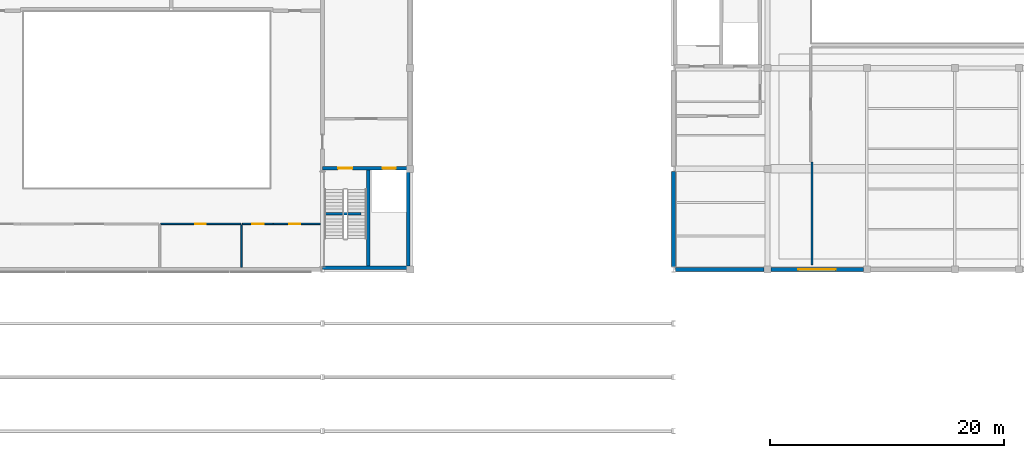
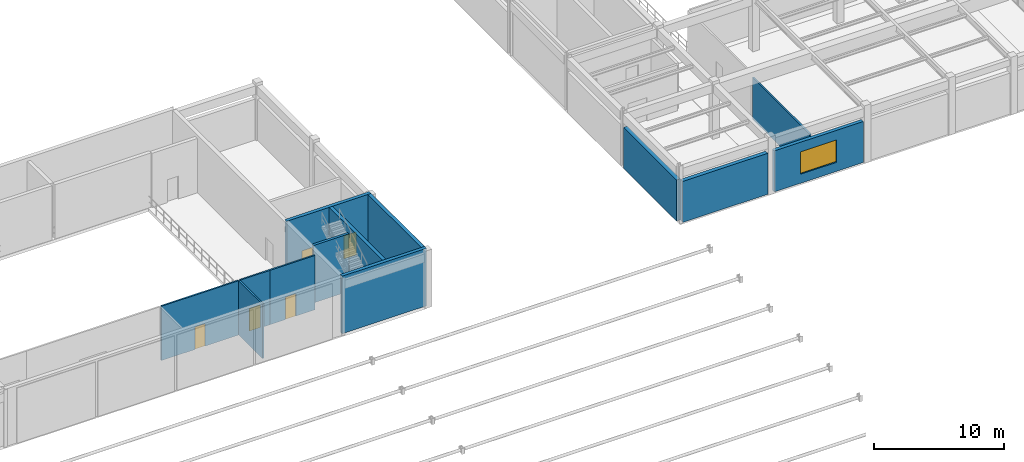
# One storey, part 32 of 38: 13 walls, 5 doors, 1 window, 6 openings.
"""IFC4 building model written with IfcOpenShell, lengths in metres."""

from ifc_helpers import new_model, si_unit, direction, frame, frame_2d, origin, place, context, subcontext, project, spatial, rectangle, extrude, material, layer, layer_set, type_object, element, fill, save


model = new_model("IFC4")

# Units and contexts
model_context = context("Model", 3, precision=1e-05, world=origin(), true_north=direction((0.0, 1.0)))
body_context = subcontext(model_context, "Body", "Model", "MODEL_VIEW")
ifc_project = project(units=[si_unit("LENGTHUNIT", "METRE"), si_unit("AREAUNIT", "SQUARE_METRE"), si_unit("VOLUMEUNIT", "CUBIC_METRE"), si_unit("PLANEANGLEUNIT", "RADIAN"), si_unit("MASSUNIT", "GRAM", prefix="KILO")], contexts=[model_context])

# Site, building, storey
site_placement = place(None, origin())
site = spatial("IfcSite", under=ifc_project, at=site_placement, CompositionType="ELEMENT")
building_placement = place(site_placement, origin())
building = spatial("IfcBuilding", under=site, at=building_placement, Name="Muzn Square Opera House", CompositionType="ELEMENT")
storey_placement = place(building_placement, frame((0.0, 0.0, 18.0)))
storey = spatial("IfcBuildingStorey", under=building, at=storey_placement, Name="L04", CompositionType="ELEMENT", Elevation=18.0)

# Walls
ifc_material_1 = material(Name="Concrete C45/55", Category="concrete")
ifc_layer_1 = layer(ifc_material_1, 0.300048828125, Name="Concrete C45/55", Category="concrete")
ifc_layer_set_1 = layer_set([ifc_layer_1], Name="Concrete C45/55")
wall_type_1 = type_object("IfcWallType", Name="Core Shear Wall 300mm", PredefinedType="SHEAR", material=ifc_layer_set_1)
for number, where, z_axis, x_axis, name in (
    (1, (110.35009765625, 72.89990234375, 0.0), (0.0, 0.0, 1.0), (0.0, 1.0, 0.0), "Core C2 Shear Wall SW-C2-L04-E"),
    (2, (106.919921875, 72.89990234375, 0.0), (0.0, 0.0, 1.0), (0.0, 1.0, 0.0), "Core C2 Shear Wall SW-C2-L04-DIV"),
):
    element("IfcWall", number, at=place(storey_placement, frame(where, z_axis=z_axis, x_axis=x_axis)), inside=storey, type_object=wall_type_1, Name=name, PredefinedType="SHEAR", context=body_context, shape_type="SweptSolid", body=[
        extrude(rectangle(XDim=8.2001953125, YDim=0.300048828125, at=frame_2d((4.10009765625, 0.0))), origin(), (0.0, 0.0, 1.0), 5.39990234375),
    ])

# Wall, openings, doors
wall_1_placement = place(storey_placement, frame((103.0, 81.25, 0.0), z_axis=(0.0, 0.0, 1.0), x_axis=(1.0, 0.0, 0.0)))
wall_1 = element("IfcWall", 3, at=wall_1_placement, inside=storey, type_object=wall_type_1, Name="Core C2 Front Shear Wall L04", PredefinedType="SHEAR", context=body_context, shape_type="SweptSolid", body=[
    extrude(rectangle(XDim=7.5, YDim=0.300048828125, at=frame_2d((3.75, 0.0))), origin(), (0.0, 0.0, 1.0), 5.39990234375),
])
opening_1_placement = place(wall_1_placement, frame((1.35009765625, 0.0, 0.0)))
opening_1 = element("IfcOpeningElement", 4, at=opening_1_placement, cuts=wall_1, Name="Opening DR-ST12", PredefinedType="OPENING", context=body_context, shape_type="SweptSolid", body=[
    extrude(rectangle(XDim=1.199951171875, YDim=2.14990234375, at=frame_2d((0.60009765625, 1.074951171875))), frame((0.0, 0.159912109375, 0.0), z_axis=(0.0, -1.0, 0.0), x_axis=(1.0, 0.0, 0.0)), (0.0, 0.0, 1.0), 0.320068359375),
])
opening_2_placement = place(wall_1_placement, frame((5.14990234375, 0.0, 0.0)))
opening_2 = element("IfcOpeningElement", 5, at=opening_2_placement, cuts=wall_1, Name="Opening LD-01", PredefinedType="OPENING", context=body_context, shape_type="SweptSolid", body=[
    extrude(rectangle(XDim=1.10009765625, YDim=2.14990234375, at=frame_2d((0.550048828125, 1.074951171875))), frame((0.0, 0.159912109375, 0.0), z_axis=(0.0, -1.0, 0.0), x_axis=(1.0, 0.0, 0.0)), (0.0, 0.0, 1.0), 0.320068359375),
])
ifc_material_2 = material(Name="Galvanised painted steel leaf", Category="metal")
door_type_1 = type_object("IfcDoorType", Name="Core Stair Fire Door 1200x2150", OperationType="NOTDEFINED", PredefinedType="DOOR", material=ifc_material_2)
door_1_placement = place(opening_1_placement, origin())
door_1 = element("IfcDoor", 6, at=door_1_placement, inside=storey, type_object=door_type_1, Name="Core C2 Stair Door L04", OperationType="SINGLE_SWING_LEFT", OverallHeight=2.14990234375, OverallWidth=1.199951171875, PredefinedType="DOOR", context=body_context, shape_type="SweptSolid", body=[
    extrude(rectangle(XDim=1.199951171875, YDim=2.14990234375, at=frame_2d((0.60009765625, 1.074951171875))), frame((0.0, 0.02490234375, 0.0), z_axis=(0.0, -1.0, 0.0), x_axis=(1.0, 0.0, 0.0)), (0.0, 0.0, 1.0), 0.050048828125),
])
fill(opening_1, door_1)
ifc_material_3 = material(Name="Brushed stainless steel", Category="metal")
door_type_2 = type_object("IfcDoorType", Name="Lift Landing Sliding Door 1100x2150", OperationType="SLIDING_TO_LEFT", PredefinedType="DOOR", material=ifc_material_3)
door_2_placement = place(opening_2_placement, origin())
door_2 = element("IfcDoor", 7, at=door_2_placement, inside=storey, type_object=door_type_2, Name="Lift FFL-2 Sliding Landing Door L04", OperationType="SLIDING_TO_LEFT", OverallHeight=2.14990234375, OverallWidth=1.10009765625, PredefinedType="DOOR", context=body_context, shape_type="SweptSolid", body=[
    extrude(rectangle(XDim=1.10009765625, YDim=2.14990234375, at=frame_2d((0.550048828125, 1.074951171875))), frame((0.0, 0.02490234375, 0.0), z_axis=(0.0, -1.0, 0.0), x_axis=(1.0, 0.0, 0.0)), (0.0, 0.0, 1.0), 0.050048828125),
])
fill(opening_2, door_2)

# Wall
wall_2_placement = place(storey_placement, frame((103.014892578125, 72.75, 0.0), z_axis=(0.0, 0.0, 1.0), x_axis=(1.0, 0.0, 0.0)))
element("IfcWall", 8, at=wall_2_placement, inside=storey, type_object=wall_type_1, Name="Core C2 Shear Wall SW-C2-L04-S", PredefinedType="SHEAR", context=body_context, shape_type="SweptSolid", body=[
    extrude(rectangle(XDim=7.485107421875, YDim=0.300048828125, at=frame_2d((3.74267578125, 0.0))), origin(), (0.0, 0.0, 1.0), 5.39990234375),
])

# Wall, opening, window
ifc_material_4 = material(Name="Concrete C40/50", Category="concrete")
ifc_layer_2 = layer(ifc_material_4, 0.31005859375, Name="Concrete C40/50", Category="concrete")
ifc_layer_set_2 = layer_set([ifc_layer_2], Name="Concrete C40/50")
wall_type_2 = type_object("IfcWallType", Name="Exterior Gallery Facade Wall 310mm", PredefinedType="SOLIDWALL", material=ifc_layer_set_2)
wall_3_placement = place(storey_placement, frame((141.300048828125, 72.60009765625, 0.0), z_axis=(0.0, 0.0, 1.0), x_axis=(1.0, 0.0, 0.0)))
wall_3 = element("IfcWall", 9, at=wall_3_placement, inside=storey, type_object=wall_type_2, Name="Exterior Facade Wall EW-L04-097", PredefinedType="SOLIDWALL", context=body_context, shape_type="SweptSolid", body=[
    extrude(rectangle(XDim=7.89990234375, YDim=0.31005859375, at=frame_2d((3.949951171875, 0.0))), origin(), (0.0, 0.0, 1.0), 3.85009765625),
])
opening_3_placement = place(wall_3_placement, frame((2.330078125, 0.0, 0.85009765625)))
opening_3 = element("IfcOpeningElement", 10, at=opening_3_placement, cuts=wall_3, Name="Opening WN-L3221", PredefinedType="OPENING", context=body_context, shape_type="SweptSolid", body=[
    extrude(rectangle(XDim=3.199951171875, YDim=2.10009765625, at=frame_2d((1.60009765625, 1.050048828125))), frame((0.0, 0.1650390625, 0.0), z_axis=(0.0, -1.0, 0.0), x_axis=(1.0, 0.0, 0.0)), (0.0, 0.0, 1.0), 0.330078125),
])
ifc_material_5 = material(Name="Low-E laminated acoustic double glazing", Category="glass")
window_type = type_object("IfcWindowType", Name="Lounge Panorama Window 3200x2100", PartitioningType="TRIPLE_PANEL_VERTICAL", PredefinedType="WINDOW", material=ifc_material_5)
window_placement = place(opening_3_placement, origin())
window = element("IfcWindow", 11, at=window_placement, inside=storey, type_object=window_type, Name="Lounge Panorama Window 3200x2100 EW-L04-097-WN01", OverallHeight=2.10009765625, OverallWidth=3.199951171875, PartitioningType="SINGLE_PANEL", PredefinedType="WINDOW", context=body_context, shape_type="SweptSolid", body=[
    extrude(rectangle(XDim=3.199951171875, YDim=2.10009765625, at=frame_2d((1.60009765625, 1.050048828125))), frame((0.0, 0.030029296875, 0.0), z_axis=(0.0, -1.0, 0.0), x_axis=(1.0, 0.0, 0.0)), (0.0, 0.0, 1.0), 0.06005859375),
])
fill(opening_3, window)

# Walls
ifc_layer_3 = layer(ifc_material_4, 0.340087890625, Name="Concrete C40/50", Category="concrete")
ifc_layer_set_3 = layer_set([ifc_layer_3], Name="Concrete C40/50")
wall_type_3 = type_object("IfcWallType", Name="Exterior Insulated Spandrel Wall 340mm", PredefinedType="SOLIDWALL", material=ifc_layer_set_3)
wall_4_placement = place(storey_placement, frame((133.14990234375, 72.60009765625, 0.0), z_axis=(0.0, 0.0, 1.0), x_axis=(1.0, 0.0, 0.0)))
element("IfcWall", 12, at=wall_4_placement, inside=storey, type_object=wall_type_3, Name="Exterior Facade Wall EW-L04-269", PredefinedType="SOLIDWALL", context=body_context, shape_type="SweptSolid", body=[
    extrude(rectangle(XDim=7.550048828125, YDim=0.340087890625, at=frame_2d((3.77490234375, 0.0))), origin(), (0.0, 0.0, 1.0), 3.85009765625),
])
wall_5_placement = place(storey_placement, frame((133.0, 72.824951171875, 0.0), z_axis=(0.0, 0.0, 1.0), x_axis=(0.0, 1.0, 0.0)))
element("IfcWall", 13, at=wall_5_placement, inside=storey, type_object=wall_type_3, Name="Exterior Facade Wall EW-L04-273", PredefinedType="SOLIDWALL", context=body_context, shape_type="SweptSolid", body=[
    extrude(rectangle(XDim=8.150146484375, YDim=0.340087890625, at=frame_2d((4.0751953125, 0.0))), origin(), (0.0, 0.0, 1.0), 3.85009765625),
])
ifc_layer_4 = layer(ifc_material_4, 0.219970703125, Name="Concrete C40/50", Category="concrete")
ifc_layer_set_4 = layer_set([ifc_layer_4], Name="Concrete C40/50")
wall_type_4 = type_object("IfcWallType", Name="Lift Lobby Wall 220mm", PredefinedType="SOLIDWALL", material=ifc_layer_set_4)
wall_6_placement = place(storey_placement, frame((103.179931640625, 77.3798828125, 0.0), z_axis=(0.0, 0.0, 1.0), x_axis=(1.0, 0.0, 0.0)))
element("IfcWall", 14, at=wall_6_placement, inside=storey, type_object=wall_type_4, Name="Core C2 Lift Shaft South Wall L04", PredefinedType="SOLIDWALL", context=body_context, shape_type="SweptSolid", body=[
    extrude(rectangle(XDim=3.1201171875, YDim=0.219970703125, at=frame_2d((1.56005859375, 0.0))), origin(), (0.0, 0.0, 1.0), 5.39990234375),
])
ifc_material_6 = material(Name="Acoustic gypsum stud partition", Category="gypsum")
ifc_layer_5 = layer(ifc_material_6, 0.14990234375, Name="Acoustic gypsum stud partition", Category="gypsum")
ifc_layer_set_5 = layer_set([ifc_layer_5], Name="Acoustic gypsum stud partition")
wall_type_5 = type_object("IfcWallType", Name="Office Acoustic Partition 150mm", PredefinedType="PARTITIONING", material=ifc_layer_set_5)
wall_7_placement = place(storey_placement, frame((144.800048828125, 73.0, 0.0), z_axis=(0.0, 0.0, 1.0), x_axis=(0.0, 1.0, 0.0)))
element("IfcWall", 15, at=wall_7_placement, inside=storey, type_object=wall_type_5, Name="Room Enclosure Partition PW-L04-0408", PredefinedType="PARTITIONING", context=body_context, shape_type="SweptSolid", body=[
    extrude(rectangle(XDim=8.780029296875, YDim=0.14990234375, at=frame_2d((4.39013671875, 0.0))), origin(), (0.0, 0.0, 1.0), 3.89990234375),
])
ifc_layer_6 = layer(ifc_material_6, 0.139892578125, Name="Acoustic gypsum stud partition", Category="gypsum")
ifc_layer_set_6 = layer_set([ifc_layer_6], Name="Acoustic gypsum stud partition")
wall_type_6 = type_object("IfcWallType", Name="Wet Room Tile Partition 140mm", PredefinedType="PARTITIONING", material=ifc_layer_set_6)
wall_8_placement = place(storey_placement, frame((96.10009765625, 72.780029296875, 0.0), z_axis=(0.0, 0.0, 1.0), x_axis=(0.0, 1.0, 0.0)))
element("IfcWall", 16, at=wall_8_placement, inside=storey, type_object=wall_type_6, Name="Interior Partition PW-L04-0394", PredefinedType="PARTITIONING", context=body_context, shape_type="SweptSolid", body=[
    extrude(rectangle(XDim=3.64501953125, YDim=0.139892578125, at=frame_2d((1.822509765625, 0.0))), origin(), (0.0, 0.0, 1.0), 5.10009765625),
])

# Wall, opening, door
wall_9_placement = place(storey_placement, frame((89.179931640625, 76.5, 0.0), z_axis=(0.0, 0.0, 1.0), x_axis=(1.0, 0.0, 0.0)))
wall_9 = element("IfcWall", 17, at=wall_9_placement, inside=storey, type_object=wall_type_6, Name="Interior Partition PW-L04-0395", PredefinedType="PARTITIONING", context=body_context, shape_type="SweptSolid", body=[
    extrude(rectangle(XDim=6.864990234375, YDim=0.139892578125, at=frame_2d((3.4326171875, 0.0))), origin(), (0.0, 0.0, 1.0), 5.10009765625),
])
opening_4_placement = place(wall_9_placement, frame((2.969970703125, 0.0, 0.0)))
opening_4 = element("IfcOpeningElement", 18, at=opening_4_placement, cuts=wall_9, Name="Opening DR-WC90", PredefinedType="OPENING", context=body_context, shape_type="SweptSolid", body=[
    extrude(rectangle(XDim=0.89990234375, YDim=2.10009765625, at=frame_2d((0.449951171875, 1.050048828125))), frame((0.0, 0.079833984375, 0.0), z_axis=(0.0, -1.0, 0.0), x_axis=(1.0, 0.0, 0.0)), (0.0, 0.0, 1.0), 0.159912109375),
])
ifc_material_7 = material(Name="Acoustic hardwood leaf", Category="wood")
door_type_3 = type_object("IfcDoorType", Name="Public WC Lobby Door 900x2100", OperationType="NOTDEFINED", PredefinedType="DOOR", material=ifc_material_7)
door_3_placement = place(opening_4_placement, origin())
door_3 = element("IfcDoor", 19, at=door_3_placement, inside=storey, type_object=door_type_3, Name="Technical Gallery Staff WC Door DR-L04-0116", OperationType="SINGLE_SWING_LEFT", OverallHeight=2.10009765625, OverallWidth=0.89990234375, PredefinedType="DOOR", context=body_context, shape_type="SweptSolid", body=[
    extrude(rectangle(XDim=0.89990234375, YDim=2.10009765625, at=frame_2d((0.449951171875, 1.050048828125))), frame((0.0, 0.02490234375, 0.0), z_axis=(0.0, -1.0, 0.0), x_axis=(1.0, 0.0, 0.0)), (0.0, 0.0, 1.0), 0.050048828125),
])
fill(opening_4, door_3)

wall_10_placement = place(storey_placement, frame((98.800048828125, 76.5, 0.0), z_axis=(0.0, 0.0, 1.0), x_axis=(1.0, 0.0, 0.0)))
wall_10 = element("IfcWall", 20, at=wall_10_placement, inside=storey, type_object=wall_type_6, Name="Interior Partition PW-L04-0396", PredefinedType="PARTITIONING", context=body_context, shape_type="SweptSolid", body=[
    extrude(rectangle(XDim=4.02001953125, YDim=0.139892578125, at=frame_2d((2.010009765625, 0.0))), origin(), (0.0, 0.0, 1.0), 5.10009765625),
])
opening_5_placement = place(wall_10_placement, frame((1.375, 0.0, 0.0)))
opening_5 = element("IfcOpeningElement", 21, at=opening_5_placement, cuts=wall_10, Name="Opening DR-AW95", PredefinedType="OPENING", context=body_context, shape_type="SweptSolid", body=[
    extrude(rectangle(XDim=0.949951171875, YDim=2.10009765625, at=frame_2d((0.47509765625, 1.050048828125))), frame((0.0, 0.079833984375, 0.0), z_axis=(0.0, -1.0, 0.0), x_axis=(1.0, 0.0, 0.0)), (0.0, 0.0, 1.0), 0.159912109375),
])
door_type_4 = type_object("IfcDoorType", Name="Accessible WC Door 950x2100", OperationType="NOTDEFINED", PredefinedType="DOOR", material=ifc_material_7)
door_4_placement = place(opening_5_placement, origin())
door_4 = element("IfcDoor", 22, at=door_4_placement, inside=storey, type_object=door_type_4, Name="Technical Accessible WC L04 Door DR-L04-0117", OperationType="SINGLE_SWING_RIGHT", OverallHeight=2.10009765625, OverallWidth=0.949951171875, PredefinedType="DOOR", context=body_context, shape_type="SweptSolid", body=[
    extrude(rectangle(XDim=0.949951171875, YDim=2.10009765625, at=frame_2d((0.47509765625, 1.050048828125))), frame((0.0, 0.02490234375, 0.0), z_axis=(0.0, -1.0, 0.0), x_axis=(1.0, 0.0, 0.0)), (0.0, 0.0, 1.0), 0.050048828125),
])
fill(opening_5, door_4)

wall_11_placement = place(storey_placement, frame((96.175048828125, 76.5, 0.0), z_axis=(0.0, 0.0, 1.0), x_axis=(1.0, 0.0, 0.0)))
wall_11 = element("IfcWall", 23, at=wall_11_placement, inside=storey, type_object=wall_type_6, Name="Interior Partition PW-L04-0397", PredefinedType="PARTITIONING", context=body_context, shape_type="SweptSolid", body=[
    extrude(rectangle(XDim=2.625, YDim=0.139892578125, at=frame_2d((1.3125, 0.0))), origin(), (0.0, 0.0, 1.0), 5.10009765625),
])
opening_6_placement = place(wall_11_placement, frame((0.85009765625, 0.0, 0.0)))
opening_6 = element("IfcOpeningElement", 24, at=opening_6_placement, cuts=wall_11, Name="Opening DR-AW95", PredefinedType="OPENING", context=body_context, shape_type="SweptSolid", body=[
    extrude(rectangle(XDim=0.949951171875, YDim=2.10009765625, at=frame_2d((0.47509765625, 1.050048828125))), frame((0.0, 0.079833984375, 0.0), z_axis=(0.0, -1.0, 0.0), x_axis=(1.0, 0.0, 0.0)), (0.0, 0.0, 1.0), 0.159912109375),
])
door_5_placement = place(opening_6_placement, origin())
door_5 = element("IfcDoor", 25, at=door_5_placement, inside=storey, type_object=door_type_4, Name="Technical Accessible WC L04 Door DR-L04-0118", OperationType="SINGLE_SWING_LEFT", OverallHeight=2.10009765625, OverallWidth=0.949951171875, PredefinedType="DOOR", context=body_context, shape_type="SweptSolid", body=[
    extrude(rectangle(XDim=0.949951171875, YDim=2.10009765625, at=frame_2d((0.47509765625, 1.050048828125))), frame((0.0, 0.02490234375, 0.0), z_axis=(0.0, -1.0, 0.0), x_axis=(1.0, 0.0, 0.0)), (0.0, 0.0, 1.0), 0.050048828125),
])
fill(opening_6, door_5)

save(model, "model.ifc")
